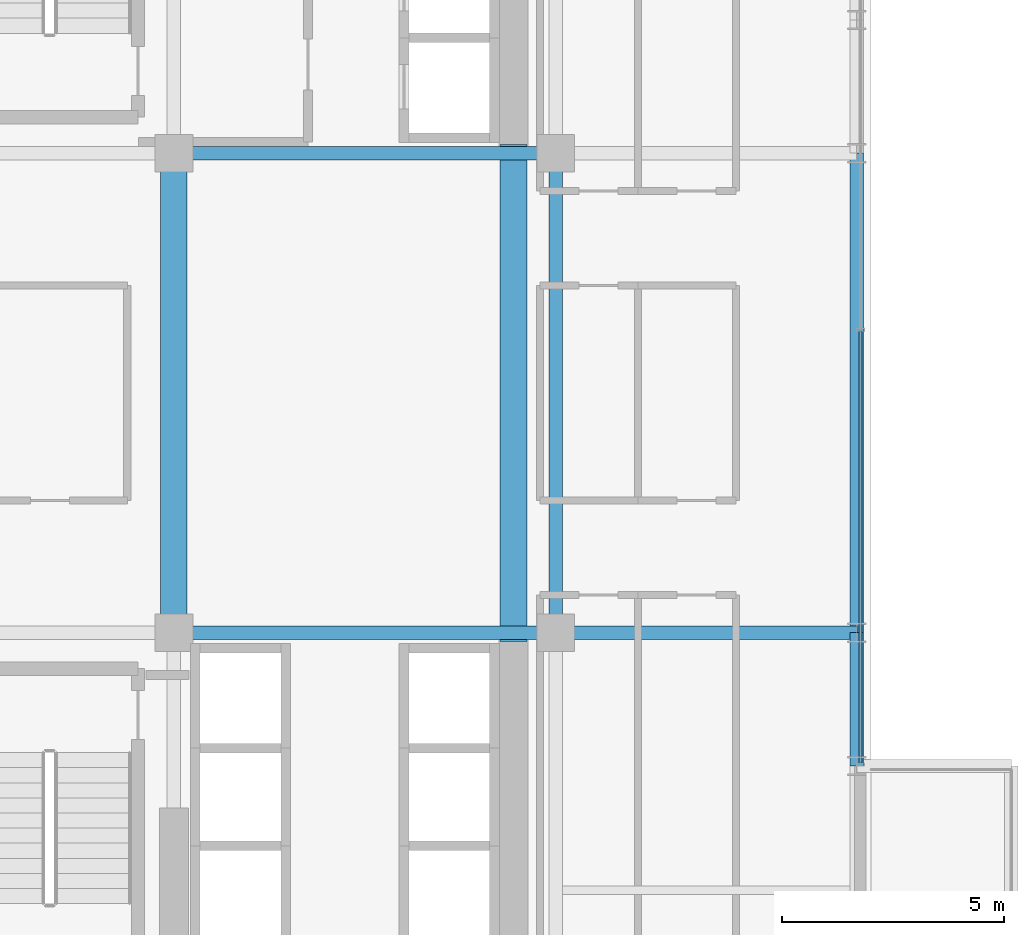
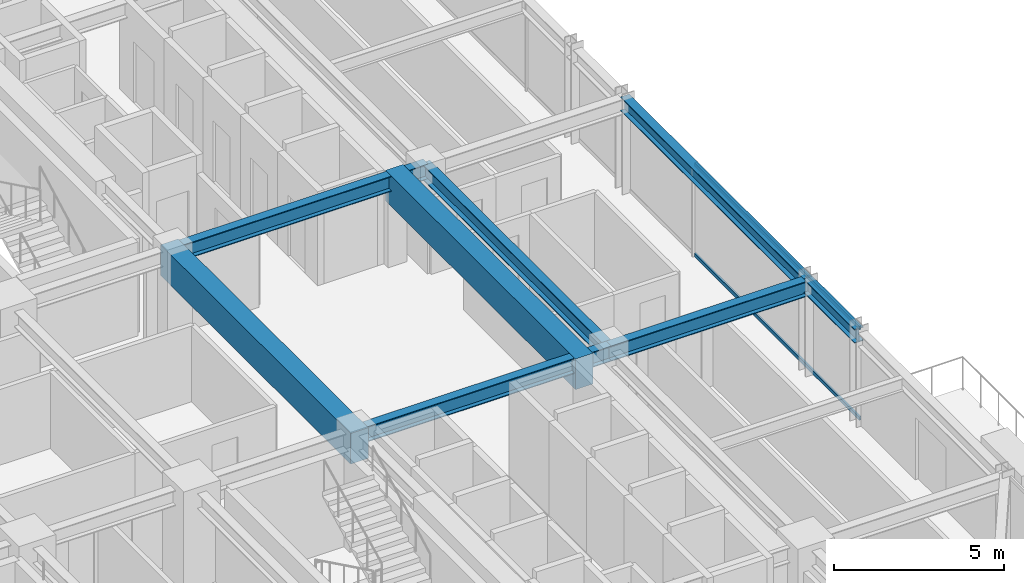
# One storey, part 14 of 34: 8 beams, 2 members, 1 element without a shape of its own.
"""IFC4 building model written with IfcOpenShell, lengths in metres."""

from ifc_helpers import new_model, si_unit, direction, frame, origin, origin_2d, place, context, subcontext, project, spatial, rectangle, hollow_rectangle, i_section, extrude, source, transform, mapped, material, material_profile, profile_set, type_object, element, aggregate, save


model = new_model("IFC4")

# Units and contexts
model_context = context("Model", 3, precision=1e-05, world=origin(), true_north=direction((0.0, 1.0)))
body_context = subcontext(model_context, "Body", "Model", "MODEL_VIEW")
ifc_project = project(units=[si_unit("LENGTHUNIT", "METRE"), si_unit("AREAUNIT", "SQUARE_METRE"), si_unit("VOLUMEUNIT", "CUBIC_METRE"), si_unit("PLANEANGLEUNIT", "RADIAN"), si_unit("MASSUNIT", "GRAM", prefix="KILO")], contexts=[model_context])

# Site, building, storey
site_placement = place(None, origin())
site = spatial("IfcSite", under=ifc_project, at=site_placement, CompositionType="ELEMENT")
building_placement = place(site_placement, origin())
building = spatial("IfcBuilding", under=site, at=building_placement, Name="Nahalor Promenade Grand Hotel", CompositionType="ELEMENT")
storey_placement = place(building_placement, frame((0.0, 0.0, 128.449951171875)))
storey = spatial("IfcBuildingStorey", under=building, at=storey_placement, Name="L32", CompositionType="ELEMENT", Elevation=128.449951171875)

# Beams
ifc_material_1 = material(Name="Concrete B-60 (C50/60)", Category="concrete")
ifc_material_profile_1 = material_profile(ifc_material_1, rectangle(XDim=0.6, YDim=1.1, at=origin_2d()), Name="RC 600x1100")
ifc_profile_set_1 = profile_set([ifc_material_profile_1], Name="Concrete B-60 (C50/60)")
beam_type_1 = type_object("IfcBeamType", Name="Beam-Lintel-RC1100", PredefinedType="LINTEL", material=ifc_profile_set_1)
shared_shape_1 = source(origin(), body_context, "Body", "SweptSolid", [
    extrude(rectangle(XDim=0.6, YDim=1.1, at=origin_2d()), origin(), (0.0, 0.0, 1.0), 11.2001953125),
])
for number, where, z_axis, x_axis, name in (
    (1, (8.39990234375, -5.60009765625, 2.830078125), (0.0, 1.0, 0.0), (-1.0, 0.0, 0.0), "BM-L32-LINT-W"),
    (2, (16.050048828125, -5.60009765625, 2.830078125), (0.0, 1.0, 0.0), (-1.0, 0.0, 0.0), "BM-L32-LINT-E"),
):
    element("IfcBeam", number, at=place(storey_placement, frame(where, z_axis=z_axis, x_axis=x_axis)), inside=storey, type_object=beam_type_1, Name=name, PredefinedType="LINTEL", context=body_context, shape_type="MappedRepresentation", body=[
        mapped(shared_shape_1, transform((0.0, 0.0, 0.0), scale=1.0)),
    ])
ifc_material_2 = material(Name="Steel S355JR", Category="steel")
ifc_material_profile_2 = material_profile(ifc_material_2, i_section(OverallWidth=0.3, OverallDepth=0.5, WebThickness=0.0145, FlangeThickness=0.028, at=origin_2d()), Name="HEB 500")
ifc_profile_set_2 = profile_set([ifc_material_profile_2], Name="Steel S355JR")
beam_type_2 = type_object("IfcBeamType", Name="Beam-Spandrel-HEB500", PredefinedType="SPANDREL", material=ifc_profile_set_2)
shared_shape_2 = source(origin(), body_context, "Body", "SweptSolid", [
    extrude(i_section(OverallWidth=0.3, OverallDepth=0.5, WebThickness=0.0145, FlangeThickness=0.028, at=origin_2d()), origin(), (0.0, 0.0, 1.0), 3.0),
])
beam_1_placement = place(storey_placement, frame((23.780029296875, -8.39990234375, 3.130126953125), z_axis=(0.0, 1.0, 0.0), x_axis=(-1.0, 0.0, 0.0)))
element("IfcBeam", 3, at=beam_1_placement, inside=storey, type_object=beam_type_2, Name="BM-L32-SP-E-1", PredefinedType="SPANDREL", context=body_context, shape_type="MappedRepresentation", body=[
    mapped(shared_shape_2, transform((0.0, 0.0, 0.0), scale=1.0)),
])
shared_shape_3 = source(origin(), body_context, "Body", "SweptSolid", [
    extrude(i_section(OverallWidth=0.3, OverallDepth=0.5, WebThickness=0.0145, FlangeThickness=0.028, at=origin_2d()), origin(), (0.0, 0.0, 1.0), 10.7998046875),
])
beam_2_placement = place(storey_placement, frame((23.780029296875, -5.39990234375, 3.130126953125), z_axis=(0.0, 1.0, 0.0), x_axis=(-1.0, 0.0, 0.0)))
element("IfcBeam", 4, at=beam_2_placement, inside=storey, type_object=beam_type_2, Name="BM-L32-SP-E-2", PredefinedType="SPANDREL", context=body_context, shape_type="MappedRepresentation", body=[
    mapped(shared_shape_3, transform((0.0, 0.0, 0.0), scale=1.0)),
])
ifc_material_profile_3 = material_profile(ifc_material_2, i_section(OverallWidth=0.3, OverallDepth=0.55, WebThickness=0.015, FlangeThickness=0.029, at=origin_2d()), Name="HEB 550")
ifc_profile_set_3 = profile_set([ifc_material_profile_3], Name="Steel S355JR")
beam_type_3 = type_object("IfcBeamType", Name="Beam-Girder-HEB550", PredefinedType="BEAM", material=ifc_profile_set_3)
shared_shape_4 = source(origin(), body_context, "Body", "SweptSolid", [
    extrude(i_section(OverallWidth=0.3, OverallDepth=0.55, WebThickness=0.015, FlangeThickness=0.029, at=origin_2d()), origin(), (0.0, 0.0, 1.0), 6.780029296875),
])
beam_3_placement = place(storey_placement, frame((17.0, -5.39990234375, 3.10498046875), z_axis=(1.0, 0.0, 0.0), x_axis=(0.0, 1.0, 0.0)))
element("IfcBeam", 5, at=beam_3_placement, inside=storey, type_object=beam_type_3, Name="BM-L32-GX-1-6", PredefinedType="BEAM", context=body_context, shape_type="MappedRepresentation", body=[
    mapped(shared_shape_4, transform((0.0, 0.0, 0.0), scale=1.0)),
])
shared_shape_5 = source(origin(), body_context, "Body", "SweptSolid", [
    extrude(i_section(OverallWidth=0.3, OverallDepth=0.55, WebThickness=0.015, FlangeThickness=0.029, at=origin_2d()), origin(), (0.0, 0.0, 1.0), 8.60009765625),
])
for number, where, z_axis, x_axis, name in (
    (6, (8.39990234375, -5.39990234375, 3.10498046875), (1.0, 0.0, 0.0), (0.0, 1.0, 0.0), "BM-L32-GX-1-5"),
    (7, (8.39990234375, 5.39990234375, 3.10498046875), (1.0, 0.0, 0.0), (0.0, 1.0, 0.0), "BM-L32-GX-2-5"),
):
    element("IfcBeam", number, at=place(storey_placement, frame(where, z_axis=z_axis, x_axis=x_axis)), inside=storey, type_object=beam_type_3, Name=name, PredefinedType="BEAM", context=body_context, shape_type="MappedRepresentation", body=[
        mapped(shared_shape_5, transform((0.0, 0.0, 0.0), scale=1.0)),
    ])
shared_shape_6 = source(origin(), body_context, "Body", "SweptSolid", [
    extrude(i_section(OverallWidth=0.3, OverallDepth=0.55, WebThickness=0.015, FlangeThickness=0.029, at=origin_2d()), origin(), (0.0, 0.0, 1.0), 10.7998046875),
])
beam_4_placement = place(storey_placement, frame((17.0, -5.39990234375, 3.10498046875), z_axis=(0.0, 1.0, 0.0), x_axis=(-1.0, 0.0, 0.0)))
element("IfcBeam", 8, at=beam_4_placement, inside=storey, type_object=beam_type_3, Name="BM-L32-GY-5-2", PredefinedType="BEAM", context=body_context, shape_type="MappedRepresentation", body=[
    mapped(shared_shape_6, transform((0.0, 0.0, 0.0), scale=1.0)),
])

# Curtain wall, members
ifc_material_3 = material(Name="Anodised Bronze Aluminium EN AW-6063 T6", Category="aluminium")
curtain_wall_type = type_object("IfcCurtainWallType", Name="CW2 Typical Hotel Flush Bronze Unitised Curtain Wall", PredefinedType="USERDEFINED", material=ifc_material_3)
curtain_wall_placement = place(storey_placement, origin())
curtain_wall = element("IfcCurtainWall", 9, at=curtain_wall_placement, inside=storey, type_object=curtain_wall_type, Name="L32 Curtain Wall CW-L32-E-3", ObjectType="UNITISED_CURTAIN_WALL", PredefinedType="USERDEFINED")
ifc_material_profile_4 = material_profile(ifc_material_3, hollow_rectangle(XDim=0.065, YDim=0.13, WallThickness=0.004, at=origin_2d()), Name="CWT 65x130x4")
ifc_profile_set_4 = profile_set([ifc_material_profile_4], Name="Anodised Bronze Aluminium EN AW-6063 T6")
member_type = type_object("IfcMemberType", Name="CWT2 Typical Bronze Transom 65x130", PredefinedType="USERDEFINED", material=ifc_profile_set_4)
shared_shape_7 = source(origin(), body_context, "Body", "SweptSolid", [
    extrude(hollow_rectangle(XDim=0.065, YDim=0.13, WallThickness=0.004, at=origin_2d()), origin(), (0.0, 0.0, 1.0), 9.722412109375),
])
member_1_placement = place(storey_placement, frame((23.860107421875, -8.3349609375, 0.06494140625), z_axis=(0.0, 1.0, 0.0), x_axis=(-1.0, 0.0, 0.0)))
member_1 = element("IfcMember", 10, at=member_1_placement, type_object=member_type, Name="CW-L32-E-3 Transom 0-0", ObjectType="TRANSOM", PredefinedType="USERDEFINED", context=body_context, shape_type="MappedRepresentation", body=[
    mapped(shared_shape_7, transform((0.0, 0.0, 0.0), scale=1.0)),
])
member_2_placement = place(storey_placement, frame((23.860107421875, -8.3349609375, 3.31494140625), z_axis=(0.0, 1.0, 0.0), x_axis=(-1.0, 0.0, 0.0)))
member_2 = element("IfcMember", 11, at=member_2_placement, type_object=member_type, Name="CW-L32-E-3 Transom 0-1", ObjectType="TRANSOM", PredefinedType="USERDEFINED", context=body_context, shape_type="MappedRepresentation", body=[
    mapped(shared_shape_7, transform((0.0, 0.0, 0.0), scale=1.0)),
])
aggregate(curtain_wall, [member_1, member_2])

save(model, "model.ifc")
